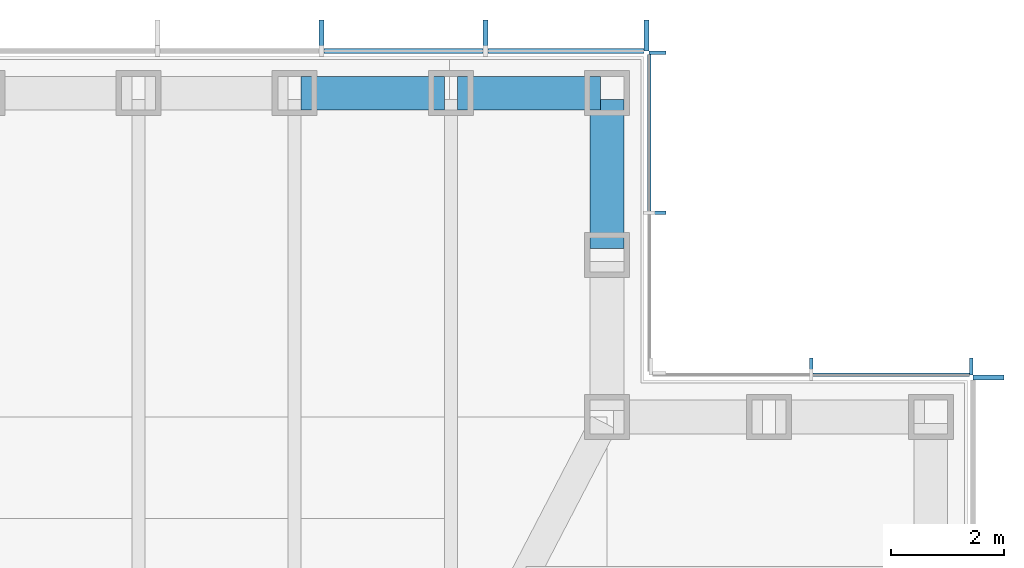
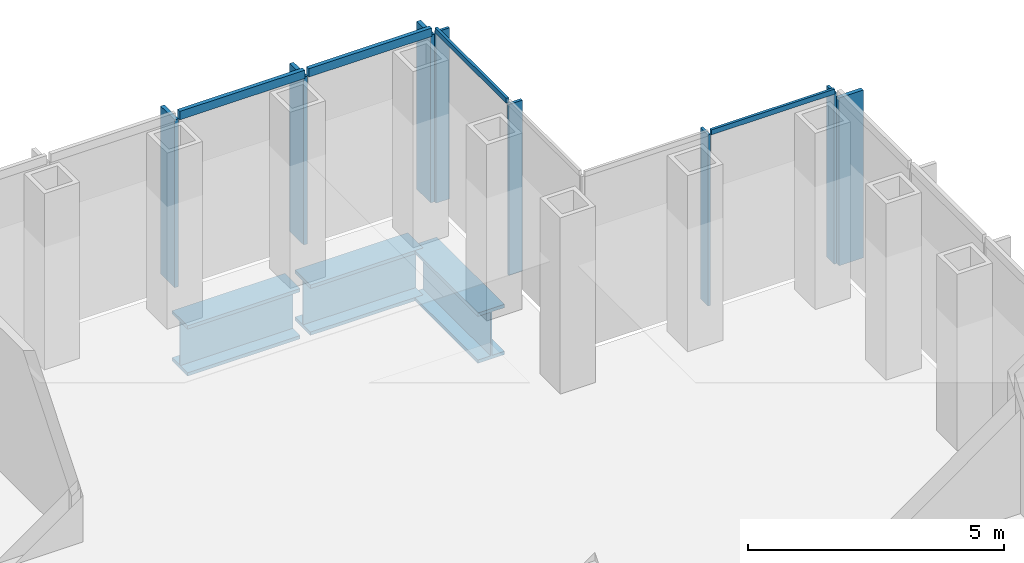
# One storey, part 6 of 16: 12 members, 3 beams, 4 elements without a shape of their own.
"""IFC4 building model written with IfcOpenShell, lengths in metres."""

from ifc_helpers import new_model, si_unit, direction, frame, origin, origin_2d, place, context, subcontext, project, spatial, rectangle, i_section, extrude, material, material_profile, profile_set, type_object, element, aggregate, save


model = new_model("IFC4")

# Units and contexts
model_context = context("Model", 3, precision=1e-05, world=origin(), true_north=direction((0.0, 1.0)))
body_context = subcontext(model_context, "Body", "Model", "MODEL_VIEW")
ifc_project = project(units=[si_unit("LENGTHUNIT", "METRE"), si_unit("AREAUNIT", "SQUARE_METRE"), si_unit("VOLUMEUNIT", "CUBIC_METRE"), si_unit("PLANEANGLEUNIT", "RADIAN"), si_unit("MASSUNIT", "GRAM", prefix="KILO")], contexts=[model_context])

# Site, building, storey
site_placement = place(None, origin())
site = spatial("IfcSite", under=ifc_project, at=site_placement, CompositionType="ELEMENT")
building_placement = place(site_placement, origin())
building = spatial("IfcBuilding", under=site, at=building_placement, Name="Daluyong Arena Tower", CompositionType="ELEMENT")
storey_placement = place(building_placement, frame((0.0, 0.0, 267.10009765625)))
storey = spatial("IfcBuildingStorey", under=building, at=storey_placement, Name="L60", CompositionType="ELEMENT", Elevation=267.10009765625)

# Curtain wall, member
ifc_material_1 = material(Name="Bronze anodised aluminium and glass", Category="aluminium")
curtain_wall_type_1 = type_object("IfcCurtainWallType", Name="Curtain wall CW4", PredefinedType="USERDEFINED", material=ifc_material_1)
curtain_wall_1_placement = place(storey_placement, origin())
curtain_wall_1 = element("IfcCurtainWall", 1, at=curtain_wall_1_placement, inside=storey, type_object=curtain_wall_type_1, Name="curtain wall L60 E", ObjectType="UNITISED CURTAIN WALL", PredefinedType="USERDEFINED")
ifc_material_2 = material(Name="Bronze anodised aluminium fin", Category="aluminium")
ifc_material_profile_1 = material_profile(ifc_material_2, rectangle(XDim=0.550048828125, YDim=0.090087890625, at=origin_2d()))
ifc_profile_set_1 = profile_set([ifc_material_profile_1], Name="Bronze anodised aluminium fin")
member_type_1 = type_object("IfcMemberType", Name="CW4 bronze fin 550x90", PredefinedType="MULLION", material=ifc_profile_set_1)
member_1_placement = place(storey_placement, frame((78.02490234375, 95.955078125, 0.0), z_axis=(0.0, 0.0, 1.0), x_axis=(-1.0, 0.0, 0.0)))
member_1 = element("IfcMember", 2, at=member_1_placement, type_object=member_type_1, Name="curtain wall L60 E fin 12", PredefinedType="MULLION", context=body_context, shape_type="SweptSolid", body=[
    extrude(rectangle(XDim=0.550048828125, YDim=0.090087890625, at=origin_2d()), origin(), (0.0, 0.0, 1.0), 4.0),
])
aggregate(curtain_wall_1, [member_1])

# Curtain wall, members
curtain_wall_2_placement = place(storey_placement, origin())
curtain_wall_2 = element("IfcCurtainWall", 3, at=curtain_wall_2_placement, inside=storey, type_object=curtain_wall_type_1, Name="curtain wall L60 N", ObjectType="UNITISED CURTAIN WALL", PredefinedType="USERDEFINED")
member_2_placement = place(storey_placement, frame((71.955078125, 102.02490234375, 0.0), z_axis=(0.0, 0.0, 1.0), x_axis=(0.0, -1.0, 0.0)))
member_2 = element("IfcMember", 4, at=member_2_placement, type_object=member_type_1, Name="curtain wall L60 N fin 1", PredefinedType="MULLION", context=body_context, shape_type="SweptSolid", body=[
    extrude(rectangle(XDim=0.550048828125, YDim=0.090087890625, at=origin_2d()), origin(), (0.0, 0.0, 1.0), 4.0),
])
member_3_placement = place(storey_placement, frame((69.0908203125, 102.02490234375, 0.0), z_axis=(0.0, 0.0, 1.0), x_axis=(0.0, -1.0, 0.0)))
member_3 = element("IfcMember", 5, at=member_3_placement, type_object=member_type_1, Name="curtain wall L60 N fin 2", PredefinedType="MULLION", context=body_context, shape_type="SweptSolid", body=[
    extrude(rectangle(XDim=0.550048828125, YDim=0.090087890625, at=origin_2d()), origin(), (0.0, 0.0, 1.0), 4.0),
])
member_4_placement = place(storey_placement, frame((66.181884765625, 102.02490234375, 0.0), z_axis=(0.0, 0.0, 1.0), x_axis=(0.0, -1.0, 0.0)))
member_4 = element("IfcMember", 6, at=member_4_placement, type_object=member_type_1, Name="curtain wall L60 N fin 3", PredefinedType="MULLION", context=body_context, shape_type="SweptSolid", body=[
    extrude(rectangle(XDim=0.550048828125, YDim=0.090087890625, at=origin_2d()), origin(), (0.0, 0.0, 1.0), 4.0),
])
ifc_material_3 = material(Name="Bronze anodised aluminium", Category="aluminium")
ifc_material_profile_2 = material_profile(ifc_material_3, rectangle(XDim=0.090087890625, YDim=0.199951171875, at=origin_2d()))
ifc_profile_set_2 = profile_set([ifc_material_profile_2], Name="Bronze anodised aluminium")
member_type_2 = type_object("IfcMemberType", Name="CW4 stack transom 200x90", PredefinedType="USERDEFINED", material=ifc_profile_set_2)
member_5_placement = place(storey_placement, frame((71.909912109375, 101.75, 4.099853515625), z_axis=(-1.0, 0.0, 0.0), x_axis=(0.0, -1.0, 0.0)))
member_5 = element("IfcMember", 7, at=member_5_placement, type_object=member_type_2, Name="curtain wall L60 N transom 1", ObjectType="TRANSOM", PredefinedType="USERDEFINED", context=body_context, shape_type="SweptSolid", body=[
    extrude(rectangle(XDim=0.090087890625, YDim=0.199951171875, at=origin_2d()), origin(), (0.0, 0.0, 1.0), 2.77392578125),
])
member_6_placement = place(storey_placement, frame((69.0458984375, 101.75, 4.099853515625), z_axis=(-1.0, 0.0, 0.0), x_axis=(0.0, -1.0, 0.0)))
member_6 = element("IfcMember", 8, at=member_6_placement, type_object=member_type_2, Name="curtain wall L60 N transom 2", ObjectType="TRANSOM", PredefinedType="USERDEFINED", context=body_context, shape_type="SweptSolid", body=[
    extrude(rectangle(XDim=0.090087890625, YDim=0.199951171875, at=origin_2d()), origin(), (0.0, 0.0, 1.0), 2.819091796875),
])
aggregate(curtain_wall_2, [member_2, member_3, member_4, member_5, member_6])

ifc_material_4 = material(Name="Bronze anodised aluminium and glass", Category="aluminium")
curtain_wall_type_2 = type_object("IfcCurtainWallType", Name="Curtain wall CW7", PredefinedType="USERDEFINED", material=ifc_material_4)
curtain_wall_3_placement = place(storey_placement, origin())
curtain_wall_3 = element("IfcCurtainWall", 9, at=curtain_wall_3_placement, inside=storey, type_object=curtain_wall_type_2, Name="curtain wall L60 NE-N", ObjectType="UNITISED CURTAIN WALL", PredefinedType="USERDEFINED")
ifc_material_5 = material(Name="Bronze anodised aluminium fin", Category="aluminium")
ifc_material_profile_3 = material_profile(ifc_material_5, rectangle(XDim=0.300048828125, YDim=0.06005859375, at=origin_2d()))
ifc_profile_set_3 = profile_set([ifc_material_profile_3], Name="Bronze anodised aluminium fin")
member_type_3 = type_object("IfcMemberType", Name="CW7 bronze fin 300x60", PredefinedType="MULLION", material=ifc_profile_set_3)
member_7_placement = place(storey_placement, frame((77.719970703125, 96.14990234375, 0.0), z_axis=(0.0, 0.0, 1.0), x_axis=(0.0, -1.0, 0.0)))
member_7 = element("IfcMember", 10, at=member_7_placement, type_object=member_type_3, Name="curtain wall L60 NE-N fin 1", PredefinedType="MULLION", context=body_context, shape_type="SweptSolid", body=[
    extrude(rectangle(XDim=0.300048828125, YDim=0.06005859375, at=origin_2d()), origin(), (0.0, 0.0, 1.0), 4.079833984375),
])
member_8_placement = place(storey_placement, frame((74.875, 96.14990234375, 0.0), z_axis=(0.0, 0.0, 1.0), x_axis=(0.0, -1.0, 0.0)))
member_8 = element("IfcMember", 11, at=member_8_placement, type_object=member_type_3, Name="curtain wall L60 NE-N fin 2", PredefinedType="MULLION", context=body_context, shape_type="SweptSolid", body=[
    extrude(rectangle(XDim=0.300048828125, YDim=0.06005859375, at=origin_2d()), origin(), (0.0, 0.0, 1.0), 4.079833984375),
])

curtain_wall_4_placement = place(storey_placement, origin())
curtain_wall_4 = element("IfcCurtainWall", 12, at=curtain_wall_4_placement, inside=storey, type_object=curtain_wall_type_2, Name="curtain wall L60 NE-E", ObjectType="UNITISED CURTAIN WALL", PredefinedType="USERDEFINED")
member_9_placement = place(storey_placement, frame((72.14990234375, 98.875, 0.0), z_axis=(0.0, 0.0, 1.0), x_axis=(-1.0, 0.0, 0.0)))
member_9 = element("IfcMember", 13, at=member_9_placement, type_object=member_type_3, Name="curtain wall L60 NE-E fin 2", PredefinedType="MULLION", context=body_context, shape_type="SweptSolid", body=[
    extrude(rectangle(XDim=0.300048828125, YDim=0.06005859375, at=origin_2d()), origin(), (0.0, 0.0, 1.0), 4.079833984375),
])
member_10_placement = place(storey_placement, frame((72.14990234375, 101.719970703125, 0.0), z_axis=(0.0, 0.0, 1.0), x_axis=(-1.0, 0.0, 0.0)))
member_10 = element("IfcMember", 14, at=member_10_placement, type_object=member_type_3, Name="curtain wall L60 NE-E fin 3", PredefinedType="MULLION", context=body_context, shape_type="SweptSolid", body=[
    extrude(rectangle(XDim=0.300048828125, YDim=0.06005859375, at=origin_2d()), origin(), (0.0, 0.0, 1.0), 4.079833984375),
])

# Member
ifc_material_6 = material(Name="Bronze anodised aluminium", Category="aluminium")
ifc_material_profile_4 = material_profile(ifc_material_6, rectangle(XDim=0.06005859375, YDim=0.1201171875, at=origin_2d()))
ifc_profile_set_4 = profile_set([ifc_material_profile_4], Name="Bronze anodised aluminium")
member_type_4 = type_object("IfcMemberType", Name="CW7 stack transom 120x60", PredefinedType="USERDEFINED", material=ifc_profile_set_4)
member_11_placement = place(storey_placement, frame((77.68994140625, 96.0, 4.139892578125), z_axis=(-1.0, 0.0, 0.0), x_axis=(0.0, -1.0, 0.0)))
member_11 = element("IfcMember", 15, at=member_11_placement, type_object=member_type_4, Name="curtain wall L60 NE-N transom 1", ObjectType="TRANSOM", PredefinedType="USERDEFINED", context=body_context, shape_type="SweptSolid", body=[
    extrude(rectangle(XDim=0.06005859375, YDim=0.1201171875, at=origin_2d()), origin(), (0.0, 0.0, 1.0), 2.784912109375),
])

aggregate(curtain_wall_3, [member_7, member_8, member_11])

member_12_placement = place(storey_placement, frame((72.0, 98.905029296875, 4.139892578125), z_axis=(0.0, 1.0, 0.0), x_axis=(-1.0, 0.0, 0.0)))
member_12 = element("IfcMember", 16, at=member_12_placement, type_object=member_type_4, Name="curtain wall L60 NE-E transom 2", ObjectType="TRANSOM", PredefinedType="USERDEFINED", context=body_context, shape_type="SweptSolid", body=[
    extrude(rectangle(XDim=0.06005859375, YDim=0.1201171875, at=origin_2d()), origin(), (0.0, 0.0, 1.0), 2.784912109375),
])

aggregate(curtain_wall_4, [member_9, member_10, member_12])

# Beams
ifc_material_7 = material(Name="Steel ASTM A572 Grade 50", Category="steel")
ifc_material_profile_5 = material_profile(ifc_material_7, i_section(OverallWidth=0.60009765625, OverallDepth=1.199951171875, WebThickness=0.03, FlangeThickness=0.08, at=origin_2d()))
ifc_profile_set_5 = profile_set([ifc_material_profile_5], Name="Steel ASTM A572 Grade 50")
beam_type = type_object("IfcBeamType", Name="Spandrel Z4 PG1200X600", PredefinedType="SPANDREL", material=ifc_profile_set_5)
beam_placement = place(storey_placement, frame((71.25, 98.239990234375, -0.760009765625), z_axis=(0.0, 1.0, 0.0), x_axis=(-1.0, 0.0, 0.0)))
element("IfcBeam", 17, at=beam_placement, inside=storey, type_object=beam_type, Name="spandrel z4 SB9", PredefinedType="SPANDREL", context=body_context, shape_type="SweptSolid", body=[
    extrude(i_section(OverallWidth=0.60009765625, OverallDepth=1.199951171875, WebThickness=0.03, FlangeThickness=0.08, at=origin_2d()), origin(), (0.0, 0.0, 1.0), 2.64501953125),
])
for number, where, z_axis, x_axis, name in (
    (18, (71.135009765625, 101.0, -0.760009765625), (-1.0, 0.0, 0.0), (0.0, -1.0, 0.0), "spandrel z4 SB9"),
    (19, (68.3623046875, 101.0, -0.760009765625), (-1.0, 0.0, 0.0), (0.0, -1.0, 0.0), "spandrel z4 SB9"),
):
    element("IfcBeam", number, at=place(storey_placement, frame(where, z_axis=z_axis, x_axis=x_axis)), inside=storey, type_object=beam_type, Name=name, PredefinedType="SPANDREL", context=body_context, shape_type="SweptSolid", body=[
        extrude(i_section(OverallWidth=0.60009765625, OverallDepth=1.199951171875, WebThickness=0.03, FlangeThickness=0.08, at=origin_2d()), origin(), (0.0, 0.0, 1.0), 2.542724609375),
    ])

save(model, "model.ifc")
